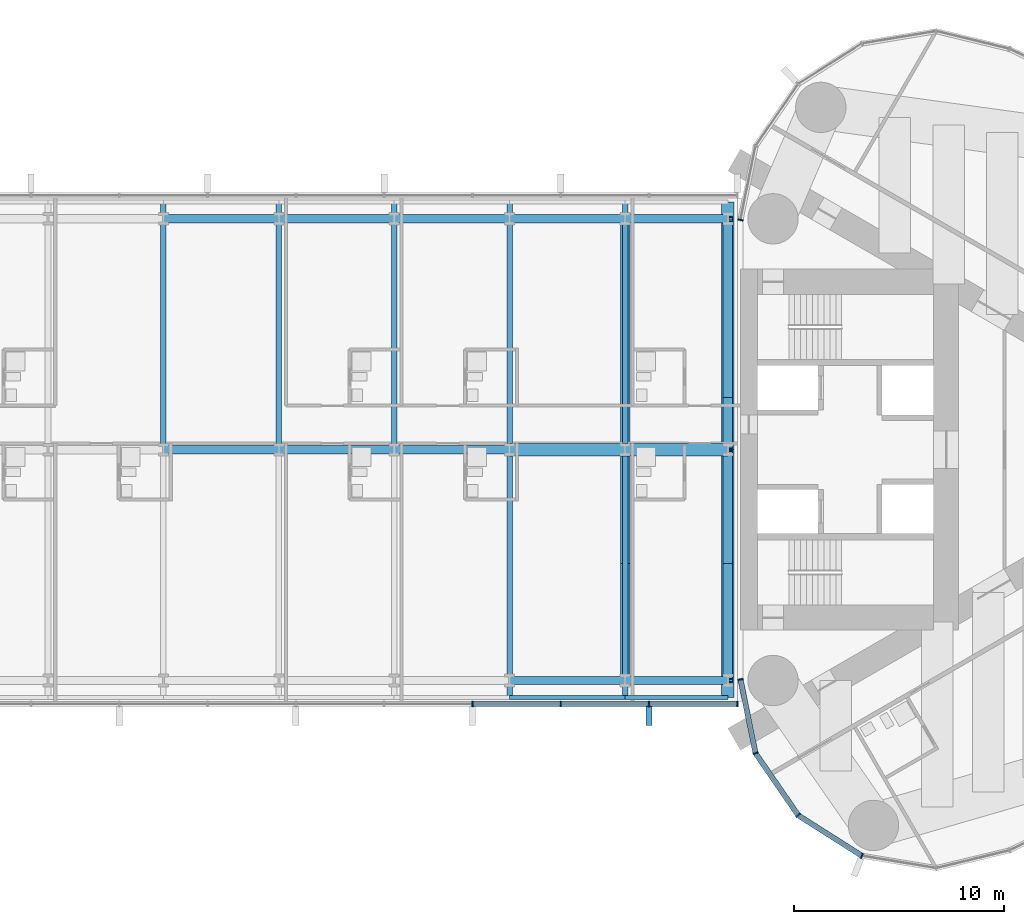
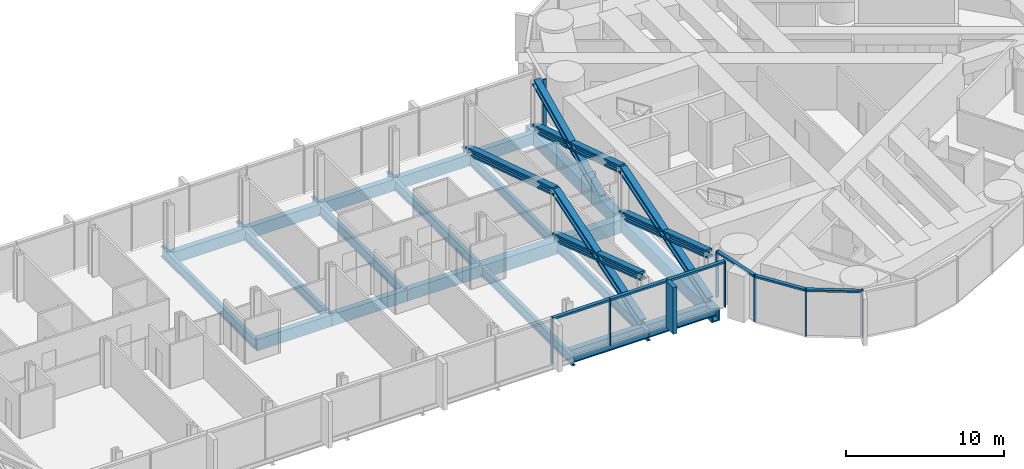
# One storey, part 7 of 22: 23 beams, 23 members, 2 elements without a shape of their own.
"""IFC4 building model written with IfcOpenShell, lengths in metres."""

from ifc_helpers import new_model, si_unit, direction, frame, origin, origin_2d, place, context, subcontext, project, spatial, rectangle, hollow_rectangle, i_section, extrude, material, material_profile, profile_set, type_object, element, aggregate, save


model = new_model("IFC4")

# Units and contexts
model_context = context("Model", 3, precision=1e-05, world=origin(), true_north=direction((0.0, 1.0)))
body_context = subcontext(model_context, "Body", "Model", "MODEL_VIEW")
ifc_project = project(units=[si_unit("LENGTHUNIT", "METRE"), si_unit("AREAUNIT", "SQUARE_METRE"), si_unit("VOLUMEUNIT", "CUBIC_METRE"), si_unit("PLANEANGLEUNIT", "RADIAN"), si_unit("MASSUNIT", "GRAM", prefix="KILO")], contexts=[model_context])

# Site, building, storey
site_placement = place(None, origin())
site = spatial("IfcSite", under=ifc_project, at=site_placement, CompositionType="ELEMENT")
building_placement = place(site_placement, origin())
building = spatial("IfcBuilding", under=site, at=building_placement, Name="Lancet Gate Hotel", CompositionType="ELEMENT")
storey_placement = place(building_placement, frame((0.0, 0.0, 233.300048828125)))
storey = spatial("IfcBuildingStorey", under=building, at=storey_placement, Name="L62", CompositionType="ELEMENT", Elevation=233.300048828125)

# Curtain wall, members
ifc_material_1 = material(Name="Aluminium curtain wall", Category="aluminium")
curtain_wall_type_1 = type_object("IfcCurtainWallType", Name="Tower unitised curtain wall", PredefinedType="USERDEFINED", material=ifc_material_1)
curtain_wall_1_placement = place(storey_placement, origin())
curtain_wall_1 = element("IfcCurtainWall", 1, at=curtain_wall_1_placement, inside=storey, type_object=curtain_wall_type_1, Name="T2 L62 curtain wall 1", ObjectType="UNITISED CURTAIN WALL", PredefinedType="USERDEFINED")
ifc_material_2 = material(Name="Aluminium mullion", Category="aluminium")
ifc_material_profile_1 = material_profile(ifc_material_2, rectangle(XDim=0.06494140625, YDim=0.25, at=origin_2d()), Name="MULLION 65x250")
ifc_profile_set_1 = profile_set([ifc_material_profile_1], Name="Aluminium mullion")
member_type_1 = type_object("IfcMemberType", Name="Aluminium mullion 65x250", PredefinedType="MULLION", material=ifc_profile_set_1)
member_1_placement = place(storey_placement, frame((27.5, -10.947998046875, 0.0), z_axis=(0.0, 0.0, 1.0), x_axis=(0.199533486841, -0.979891008036, 0.0)))
member_1 = element("IfcMember", 2, at=member_1_placement, type_object=member_type_1, Name="T2 L62 curtain wall 1 mullion 1", PredefinedType="MULLION", context=body_context, shape_type="SweptSolid", body=[
    extrude(rectangle(XDim=0.06494140625, YDim=0.25, at=origin_2d()), origin(), (0.0, 0.0, 1.0), 3.599853515625),
])
member_2_placement = place(storey_placement, frame((28.216552734375, -14.467529296875, 0.0), z_axis=(0.0, 0.0, 1.0), x_axis=(0.391042139098, -0.920372775265, 0.0)))
member_2 = element("IfcMember", 3, at=member_2_placement, type_object=member_type_1, Name="T2 L62 curtain wall 1 mullion 2", PredefinedType="MULLION", context=body_context, shape_type="SweptSolid", body=[
    extrude(rectangle(XDim=0.06494140625, YDim=0.25, at=origin_2d()), origin(), (0.0, 0.0, 1.0), 3.599853515625),
])
member_3_placement = place(storey_placement, frame((30.25244140625, -17.42626953125, 0.0), z_axis=(0.0, 0.0, 1.0), x_axis=(0.719809077627, -0.694172090886, 0.0)))
member_3 = element("IfcMember", 4, at=member_3_placement, type_object=member_type_1, Name="T2 L62 curtain wall 1 mullion 3", PredefinedType="MULLION", context=body_context, shape_type="SweptSolid", body=[
    extrude(rectangle(XDim=0.06494140625, YDim=0.25, at=origin_2d()), origin(), (0.0, 0.0, 1.0), 3.599853515625),
])
member_4_placement = place(storey_placement, frame((33.283203125, -19.353515625, 0.0), z_axis=(0.0, 0.0, 1.0), x_axis=(0.93394321776, -0.357421412343, 0.0)))
member_4 = element("IfcMember", 5, at=member_4_placement, type_object=member_type_1, Name="T2 L62 curtain wall 1 mullion 4", PredefinedType="MULLION", context=body_context, shape_type="SweptSolid", body=[
    extrude(rectangle(XDim=0.06494140625, YDim=0.25, at=origin_2d()), origin(), (0.0, 0.0, 1.0), 3.599853515625),
])
member_5_placement = place(storey_placement, frame((27.5, 10.947998046875, 0.0), z_axis=(0.0, 0.0, 1.0), x_axis=(-0.199533486841, -0.979891008036, 0.0)))
member_5 = element("IfcMember", 6, at=member_5_placement, type_object=member_type_1, Name="T2 L62 curtain wall 1 mullion 27", PredefinedType="MULLION", context=body_context, shape_type="SweptSolid", body=[
    extrude(rectangle(XDim=0.06494140625, YDim=0.25, at=origin_2d()), origin(), (0.0, 0.0, 1.0), 3.599853515625),
])

ifc_material_3 = material(Name="Aluminium curtain wall", Category="aluminium")
curtain_wall_type_2 = type_object("IfcCurtainWallType", Name="Bridge block curtain wall", PredefinedType="USERDEFINED", material=ifc_material_3)
curtain_wall_2_placement = place(storey_placement, origin())
curtain_wall_2 = element("IfcCurtainWall", 7, at=curtain_wall_2_placement, inside=storey, type_object=curtain_wall_type_2, Name="Bridge block L62 curtain wall S", ObjectType="UNITISED CURTAIN WALL", PredefinedType="USERDEFINED")
member_6_placement = place(storey_placement, frame((14.726806640625, -12.1201171875, 0.0), z_axis=(0.0, 0.0, 1.0), x_axis=(1.0, 0.0, 0.0)))
member_6 = element("IfcMember", 8, at=member_6_placement, type_object=member_type_1, Name="Bridge block L62 curtain wall S mullion 11", PredefinedType="MULLION", context=body_context, shape_type="SweptSolid", body=[
    extrude(rectangle(XDim=0.06494140625, YDim=0.25, at=origin_2d()), origin(), (0.0, 0.0, 1.0), 3.599853515625),
])
member_7_placement = place(storey_placement, frame((18.9345703125, -12.1201171875, 0.0), z_axis=(0.0, 0.0, 1.0), x_axis=(1.0, 0.0, 0.0)))
member_7 = element("IfcMember", 9, at=member_7_placement, type_object=member_type_1, Name="Bridge block L62 curtain wall S mullion 12", PredefinedType="MULLION", context=body_context, shape_type="SweptSolid", body=[
    extrude(rectangle(XDim=0.06494140625, YDim=0.25, at=origin_2d()), origin(), (0.0, 0.0, 1.0), 3.599853515625),
])
member_8_placement = place(storey_placement, frame((23.142333984375, -12.1201171875, 0.0), z_axis=(0.0, 0.0, 1.0), x_axis=(1.0, 0.0, 0.0)))
member_8 = element("IfcMember", 10, at=member_8_placement, type_object=member_type_1, Name="Bridge block L62 curtain wall S mullion 13", PredefinedType="MULLION", context=body_context, shape_type="SweptSolid", body=[
    extrude(rectangle(XDim=0.06494140625, YDim=0.25, at=origin_2d()), origin(), (0.0, 0.0, 1.0), 3.599853515625),
])
member_9_placement = place(storey_placement, frame((27.35009765625, -12.1201171875, 0.0), z_axis=(0.0, 0.0, 1.0), x_axis=(1.0, 0.0, 0.0)))
member_9 = element("IfcMember", 11, at=member_9_placement, type_object=member_type_1, Name="Bridge block L62 curtain wall S mullion 14", PredefinedType="MULLION", context=body_context, shape_type="SweptSolid", body=[
    extrude(rectangle(XDim=0.06494140625, YDim=0.25, at=origin_2d()), origin(), (0.0, 0.0, 1.0), 3.599853515625),
])

# Member
ifc_material_4 = material(Name="Aluminium transom", Category="aluminium")
ifc_material_profile_2 = material_profile(ifc_material_4, rectangle(XDim=0.25, YDim=0.14990234375, at=origin_2d()), Name="TRANSOM 250x150")
ifc_profile_set_2 = profile_set([ifc_material_profile_2], Name="Aluminium transom")
member_type_2 = type_object("IfcMemberType", Name="Aluminium transom 250x150", PredefinedType="USERDEFINED", material=ifc_profile_set_2)
member_10_placement = place(storey_placement, frame((27.506591796875, -10.97998046875, 3.52490234375), z_axis=(0.19952323725, -0.979893095086, 0.0), x_axis=(0.979893095086, 0.19952323725, 0.0)))
member_10 = element("IfcMember", 12, at=member_10_placement, type_object=member_type_2, Name="T2 L62 curtain wall 1 transom 1", ObjectType="TRANSOM", PredefinedType="USERDEFINED", context=body_context, shape_type="SweptSolid", body=[
    extrude(rectangle(XDim=0.25, YDim=0.14990234375, at=origin_2d()), origin(), (0.0, 0.0, 1.0), 3.5263671875),
])

member_11_placement = place(storey_placement, frame((28.235107421875, -14.494140625, 3.52490234375), z_axis=(0.566813768052, -0.82384595183, 0.0), x_axis=(0.82384595183, 0.566813768052, 0.0)))
member_11 = element("IfcMember", 13, at=member_11_placement, type_object=member_type_2, Name="T2 L62 curtain wall 1 transom 2", ObjectType="TRANSOM", PredefinedType="USERDEFINED", context=body_context, shape_type="SweptSolid", body=[
    extrude(rectangle(XDim=0.25, YDim=0.14990234375, at=origin_2d()), origin(), (0.0, 0.0, 1.0), 3.52685546875),
])

member_12_placement = place(storey_placement, frame((30.27978515625, -17.44384765625, 3.52490234375), z_axis=(0.84385811281, -0.536566384938, 0.0), x_axis=(0.536566384938, 0.84385811281, 0.0)))
member_12 = element("IfcMember", 14, at=member_12_placement, type_object=member_type_2, Name="T2 L62 curtain wall 1 transom 3", ObjectType="TRANSOM", PredefinedType="USERDEFINED", context=body_context, shape_type="SweptSolid", body=[
    extrude(rectangle(XDim=0.25, YDim=0.14990234375, at=origin_2d()), origin(), (0.0, 0.0, 1.0), 3.52685546875),
])

aggregate(curtain_wall_1, [member_1, member_2, member_3, member_4, member_5, member_10, member_11, member_12])

member_13_placement = place(storey_placement, frame((14.759521484375, -12.1201171875, 3.52490234375), z_axis=(1.0, 0.0, 0.0), x_axis=(0.0, 1.0, 0.0)))
member_13 = element("IfcMember", 15, at=member_13_placement, type_object=member_type_2, Name="Bridge block L62 curtain wall S transom 11", ObjectType="TRANSOM", PredefinedType="USERDEFINED", context=body_context, shape_type="SweptSolid", body=[
    extrude(rectangle(XDim=0.25, YDim=0.14990234375, at=origin_2d()), origin(), (0.0, 0.0, 1.0), 4.142578125),
])

member_14_placement = place(storey_placement, frame((18.967041015625, -12.1201171875, 3.52490234375), z_axis=(1.0, 0.0, 0.0), x_axis=(0.0, 1.0, 0.0)))
member_14 = element("IfcMember", 16, at=member_14_placement, type_object=member_type_2, Name="Bridge block L62 curtain wall S transom 12", ObjectType="TRANSOM", PredefinedType="USERDEFINED", context=body_context, shape_type="SweptSolid", body=[
    extrude(rectangle(XDim=0.25, YDim=0.14990234375, at=origin_2d()), origin(), (0.0, 0.0, 1.0), 4.142822265625),
])

member_15_placement = place(storey_placement, frame((23.1748046875, -12.1201171875, 3.52490234375), z_axis=(1.0, 0.0, 0.0), x_axis=(0.0, 1.0, 0.0)))
member_15 = element("IfcMember", 17, at=member_15_placement, type_object=member_type_2, Name="Bridge block L62 curtain wall S transom 13", ObjectType="TRANSOM", PredefinedType="USERDEFINED", context=body_context, shape_type="SweptSolid", body=[
    extrude(rectangle(XDim=0.25, YDim=0.14990234375, at=origin_2d()), origin(), (0.0, 0.0, 1.0), 4.142578125),
])

# Members
ifc_material_5 = material(Name="Steel S460", Category="steel")
ifc_material_profile_3 = material_profile(ifc_material_5, i_section(OverallWidth=0.4541015625, OverallDepth=0.569091796875, WebThickness=0.077880859375, FlangeThickness=0.125, FilletRadius=0.02001953125, at=origin_2d()), Name="HD 400x1086")
ifc_profile_set_3 = profile_set([ifc_material_profile_3], Name="Steel S460")
member_type_3 = type_object("IfcMemberType", Name="Block brace HD 400x1086", PredefinedType="BRACE", material=ifc_profile_set_3)
member_16_placement = place(storey_placement, frame((26.89990234375, -11.0, 0.0), z_axis=(0.0, 0.952925780013, 0.303203657277), x_axis=(-1.0, 0.0, 0.0)))
element("IfcMember", 18, at=member_16_placement, inside=storey, type_object=member_type_3, Name="Block brace EY11 L62", PredefinedType="BRACE", context=body_context, shape_type="SweptSolid", body=[
    extrude(i_section(OverallWidth=0.4541015625, OverallDepth=0.569091796875, WebThickness=0.077880859375, FlangeThickness=0.125, FilletRadius=0.02001953125, at=origin_2d()), origin(), (0.0, 0.0, 1.0), 11.54345703125),
])
member_17_placement = place(storey_placement, frame((26.89990234375, 0.0, 0.0), z_axis=(0.0, -0.950400870301, 0.311027628564), x_axis=(1.0, 0.0, 0.0)))
element("IfcMember", 19, at=member_17_placement, inside=storey, type_object=member_type_3, Name="Block brace EY12 L62", PredefinedType="BRACE", context=body_context, shape_type="SweptSolid", body=[
    extrude(i_section(OverallWidth=0.4541015625, OverallDepth=0.569091796875, WebThickness=0.077880859375, FlangeThickness=0.125, FilletRadius=0.02001953125, at=origin_2d()), origin(), (0.0, 0.0, 1.0), 11.573974609375),
])
for number, where, z_axis, x_axis, name in (
    (20, (26.89990234375, 11.0, 0.0), (0.0, -0.952925780013, 0.303203657277), (1.0, 0.0, 0.0), "Block brace EY22 L62"),
    (21, (22.0, -11.0, 0.0), (0.0, 0.952925780013, 0.303203657277), (-1.0, 0.0, 0.0), "Block brace EI11 L62"),
):
    element("IfcMember", number, at=place(storey_placement, frame(where, z_axis=z_axis, x_axis=x_axis)), inside=storey, type_object=member_type_3, Name=name, PredefinedType="BRACE", context=body_context, shape_type="SweptSolid", body=[
        extrude(i_section(OverallWidth=0.4541015625, OverallDepth=0.569091796875, WebThickness=0.077880859375, FlangeThickness=0.125, FilletRadius=0.02001953125, at=origin_2d()), origin(), (0.0, 0.0, 1.0), 11.54345703125),
    ])
member_18_placement = place(storey_placement, frame((22.0, 0.0, 0.0), z_axis=(0.0, -0.950400870301, 0.311027628564), x_axis=(1.0, 0.0, 0.0)))
element("IfcMember", 22, at=member_18_placement, inside=storey, type_object=member_type_3, Name="Block brace EI12 L62", PredefinedType="BRACE", context=body_context, shape_type="SweptSolid", body=[
    extrude(i_section(OverallWidth=0.4541015625, OverallDepth=0.569091796875, WebThickness=0.077880859375, FlangeThickness=0.125, FilletRadius=0.02001953125, at=origin_2d()), origin(), (0.0, 0.0, 1.0), 11.573974609375),
])
member_19_placement = place(storey_placement, frame((22.0, 11.0, 0.0), z_axis=(0.0, -0.952925780013, 0.303203657277), x_axis=(1.0, 0.0, 0.0)))
element("IfcMember", 23, at=member_19_placement, inside=storey, type_object=member_type_3, Name="Block brace EI22 L62", PredefinedType="BRACE", context=body_context, shape_type="SweptSolid", body=[
    extrude(i_section(OverallWidth=0.4541015625, OverallDepth=0.569091796875, WebThickness=0.077880859375, FlangeThickness=0.125, FilletRadius=0.02001953125, at=origin_2d()), origin(), (0.0, 0.0, 1.0), 11.54345703125),
])
member_20_placement = place(storey_placement, frame((26.89990234375, 2.60009765625, -0.300048828125), z_axis=(0.0, 0.907011125382, 0.421106659212), x_axis=(-1.0, 0.0, 0.0)))
element("IfcMember", 24, at=member_20_placement, inside=storey, type_object=member_type_3, Name="Block brace EY23 L62", PredefinedType="BRACE", context=body_context, shape_type="SweptSolid", body=[
    extrude(i_section(OverallWidth=0.4541015625, OverallDepth=0.569091796875, WebThickness=0.077880859375, FlangeThickness=0.125, FilletRadius=0.02001953125, at=origin_2d()), origin(), (0.0, 0.0, 1.0), 9.260986328125),
])

# Beams
ifc_material_6 = material(Name="Steel S355", Category="steel")
ifc_material_profile_4 = material_profile(ifc_material_6, i_section(OverallWidth=0.19140625, OverallDepth=0.4599609375, WebThickness=0.010009765625, FlangeThickness=0.01611328125, FilletRadius=0.01025390625, at=origin_2d()), Name="UKB 457x191x82")
ifc_profile_set_4 = profile_set([ifc_material_profile_4], Name="Steel S355")
beam_type_1 = type_object("IfcBeamType", Name="Block edge beam UKB 457x191x82", PredefinedType="SPANDREL", material=ifc_profile_set_4)
beam_1_placement = place(storey_placement, frame((16.5, -11.800048828125, -0.429931640625), z_axis=(1.0, 0.0, 0.0), x_axis=(0.0, 1.0, 0.0)))
element("IfcBeam", 25, at=beam_1_placement, inside=storey, type_object=beam_type_1, Name="Block edge beam S 8-9 L62", PredefinedType="SPANDREL", context=body_context, shape_type="SweptSolid", body=[
    extrude(i_section(OverallWidth=0.19140625, OverallDepth=0.4599609375, WebThickness=0.010009765625, FlangeThickness=0.01611328125, FilletRadius=0.01025390625, at=origin_2d()), origin(), (0.0, 0.0, 1.0), 5.5),
])
beam_2_placement = place(storey_placement, frame((22.0, -11.800048828125, -0.429931640625), z_axis=(1.0, 0.0, 0.0), x_axis=(0.0, 1.0, 0.0)))
element("IfcBeam", 26, at=beam_2_placement, inside=storey, type_object=beam_type_1, Name="Block edge beam S 9-10 L62", PredefinedType="SPANDREL", context=body_context, shape_type="SweptSolid", body=[
    extrude(i_section(OverallWidth=0.19140625, OverallDepth=0.4599609375, WebThickness=0.010009765625, FlangeThickness=0.01611328125, FilletRadius=0.01025390625, at=origin_2d()), origin(), (0.0, 0.0, 1.0), 4.89990234375),
])
ifc_material_7 = material(Name="Steel S460QL", Category="steel")
ifc_material_profile_5 = material_profile(ifc_material_7, hollow_rectangle(XDim=0.60009765625, YDim=1.0, WallThickness=0.10009765625, at=origin_2d()), Name="BOX 1000x600x100")
ifc_profile_set_5 = profile_set([ifc_material_profile_5], Name="Steel S460QL")
beam_type_2 = type_object("IfcBeamType", Name="Block end beam BOX 1000x600x100", PredefinedType="BEAM", material=ifc_profile_set_5)
for number, where, z_axis, x_axis, name in (
    (27, (26.89990234375, -11.800048828125, -0.699951171875), (0.0, 1.0, 0.0), (-1.0, 0.0, 0.0), "Block beam x10 S L62"),
    (28, (26.89990234375, 0.0, -0.699951171875), (0.0, 1.0, 0.0), (-1.0, 0.0, 0.0), "Block beam x10 N L62"),
):
    element("IfcBeam", number, at=place(storey_placement, frame(where, z_axis=z_axis, x_axis=x_axis)), inside=storey, type_object=beam_type_2, Name=name, PredefinedType="BEAM", context=body_context, shape_type="SweptSolid", body=[
        extrude(hollow_rectangle(XDim=0.60009765625, YDim=1.0, WallThickness=0.10009765625, at=origin_2d()), origin(), (0.0, 0.0, 1.0), 11.800048828125),
    ])
ifc_material_8 = material(Name="Steel S460QL", Category="steel")
ifc_material_profile_6 = material_profile(ifc_material_8, hollow_rectangle(XDim=0.60009765625, YDim=1.0, WallThickness=0.080078125, at=origin_2d()), Name="BOX 1000x600x80")
ifc_profile_set_6 = profile_set([ifc_material_profile_6], Name="Steel S460QL")
beam_type_3 = type_object("IfcBeamType", Name="Block primary beam BOX 1000x600x80", PredefinedType="BEAM", material=ifc_profile_set_6)
beam_3_placement = place(storey_placement, frame((16.5, 0.0, -0.699951171875), z_axis=(1.0, 0.0, 0.0), x_axis=(0.0, 1.0, 0.0)))
element("IfcBeam", 29, at=beam_3_placement, inside=storey, type_object=beam_type_3, Name="Block primary beam M 9 L62", PredefinedType="BEAM", context=body_context, shape_type="SweptSolid", body=[
    extrude(hollow_rectangle(XDim=0.60009765625, YDim=1.0, WallThickness=0.080078125, at=origin_2d()), origin(), (0.0, 0.0, 1.0), 5.5),
])
beam_4_placement = place(storey_placement, frame((22.0, 0.0, -0.699951171875), z_axis=(1.0, 0.0, 0.0), x_axis=(0.0, 1.0, 0.0)))
element("IfcBeam", 30, at=beam_4_placement, inside=storey, type_object=beam_type_3, Name="Block primary beam M 10 L62", PredefinedType="BEAM", context=body_context, shape_type="SweptSolid", body=[
    extrude(hollow_rectangle(XDim=0.60009765625, YDim=1.0, WallThickness=0.080078125, at=origin_2d()), origin(), (0.0, 0.0, 1.0), 4.89990234375),
])
ifc_material_9 = material(Name="Steel S355", Category="steel")
ifc_material_profile_7 = material_profile(ifc_material_9, hollow_rectangle(XDim=0.39990234375, YDim=0.89990234375, WallThickness=0.0400390625, at=origin_2d()), Name="BOX 900x400x40")
ifc_profile_set_7 = profile_set([ifc_material_profile_7], Name="Steel S355")
beam_type_4 = type_object("IfcBeamType", Name="Block primary beam BOX 900x400x40", PredefinedType="BEAM", material=ifc_profile_set_7)
beam_5_placement = place(storey_placement, frame((16.5, -11.0, -0.650146484375), z_axis=(1.0, 0.0, 0.0), x_axis=(0.0, 1.0, 0.0)))
element("IfcBeam", 31, at=beam_5_placement, inside=storey, type_object=beam_type_4, Name="Block primary beam S 9 L62", PredefinedType="BEAM", context=body_context, shape_type="SweptSolid", body=[
    extrude(hollow_rectangle(XDim=0.39990234375, YDim=0.89990234375, WallThickness=0.0400390625, at=origin_2d()), origin(), (0.0, 0.0, 1.0), 5.5),
])
beam_6_placement = place(storey_placement, frame((22.0, -11.0, -0.650146484375), z_axis=(1.0, 0.0, 0.0), x_axis=(0.0, 1.0, 0.0)))
element("IfcBeam", 32, at=beam_6_placement, inside=storey, type_object=beam_type_4, Name="Block primary beam S 10 L62", PredefinedType="BEAM", context=body_context, shape_type="SweptSolid", body=[
    extrude(hollow_rectangle(XDim=0.39990234375, YDim=0.89990234375, WallThickness=0.0400390625, at=origin_2d()), origin(), (0.0, 0.0, 1.0), 4.89990234375),
])
for number, where, z_axis, x_axis, name in (
    (33, (0.0, 0.0, -0.650146484375), (1.0, 0.0, 0.0), (0.0, 1.0, 0.0), "Block primary beam M 6 L62"),
    (34, (5.5, 0.0, -0.650146484375), (1.0, 0.0, 0.0), (0.0, 1.0, 0.0), "Block primary beam M 7 L62"),
    (35, (11.0, 0.0, -0.650146484375), (1.0, 0.0, 0.0), (0.0, 1.0, 0.0), "Block primary beam M 8 L62"),
    (36, (0.0, 11.0, -0.650146484375), (1.0, 0.0, 0.0), (0.0, 1.0, 0.0), "Block primary beam N 6 L62"),
    (37, (5.5, 11.0, -0.650146484375), (1.0, 0.0, 0.0), (0.0, 1.0, 0.0), "Block primary beam N 7 L62"),
    (38, (11.0, 11.0, -0.650146484375), (1.0, 0.0, 0.0), (0.0, 1.0, 0.0), "Block primary beam N 8 L62"),
    (39, (16.5, 11.0, -0.650146484375), (1.0, 0.0, 0.0), (0.0, 1.0, 0.0), "Block primary beam N 9 L62"),
):
    element("IfcBeam", number, at=place(storey_placement, frame(where, z_axis=z_axis, x_axis=x_axis)), inside=storey, type_object=beam_type_4, Name=name, PredefinedType="BEAM", context=body_context, shape_type="SweptSolid", body=[
        extrude(hollow_rectangle(XDim=0.39990234375, YDim=0.89990234375, WallThickness=0.0400390625, at=origin_2d()), origin(), (0.0, 0.0, 1.0), 5.5),
    ])
beam_7_placement = place(storey_placement, frame((22.0, 11.0, -0.650146484375), z_axis=(1.0, 0.0, 0.0), x_axis=(0.0, 1.0, 0.0)))
element("IfcBeam", 40, at=beam_7_placement, inside=storey, type_object=beam_type_4, Name="Block primary beam N 10 L62", PredefinedType="BEAM", context=body_context, shape_type="SweptSolid", body=[
    extrude(hollow_rectangle(XDim=0.39990234375, YDim=0.89990234375, WallThickness=0.0400390625, at=origin_2d()), origin(), (0.0, 0.0, 1.0), 4.89990234375),
])
ifc_material_10 = material(Name="Steel S355", Category="steel")
ifc_material_profile_8 = material_profile(ifc_material_10, i_section(OverallWidth=0.26806640625, OverallDepth=0.769775390625, WebThickness=0.015625, FlangeThickness=0.025390625, FilletRadius=0.0166015625, at=origin_2d()), Name="UKB 762x267x197")
ifc_profile_set_8 = profile_set([ifc_material_profile_8], Name="Steel S355")
beam_type_5 = type_object("IfcBeamType", Name="Block secondary beam UKB 762x267x197", PredefinedType="JOIST", material=ifc_profile_set_8)
for number, where, z_axis, x_axis, name in (
    (41, (0.0, 0.0, -0.5849609375), (0.0, 1.0, 0.0), (-1.0, 0.0, 0.0), "Block beam x5 N L62"),
    (42, (5.5, 0.0, -0.5849609375), (0.0, 1.0, 0.0), (-1.0, 0.0, 0.0), "Block beam x6 N L62"),
    (43, (11.0, 0.0, -0.5849609375), (0.0, 1.0, 0.0), (-1.0, 0.0, 0.0), "Block beam x7 N L62"),
    (44, (16.5, -11.800048828125, -0.5849609375), (0.0, 1.0, 0.0), (-1.0, 0.0, 0.0), "Block beam x8 S L62"),
    (45, (16.5, 0.0, -0.5849609375), (0.0, 1.0, 0.0), (-1.0, 0.0, 0.0), "Block beam x8 N L62"),
    (46, (22.0, -11.800048828125, -0.5849609375), (0.0, 1.0, 0.0), (-1.0, 0.0, 0.0), "Block beam x9 S L62"),
    (47, (22.0, 0.0, -0.5849609375), (0.0, 1.0, 0.0), (-1.0, 0.0, 0.0), "Block beam x9 N L62"),
):
    element("IfcBeam", number, at=place(storey_placement, frame(where, z_axis=z_axis, x_axis=x_axis)), inside=storey, type_object=beam_type_5, Name=name, PredefinedType="JOIST", context=body_context, shape_type="SweptSolid", body=[
        extrude(i_section(OverallWidth=0.26806640625, OverallDepth=0.769775390625, WebThickness=0.015625, FlangeThickness=0.025390625, FilletRadius=0.0166015625, at=origin_2d()), origin(), (0.0, 0.0, 1.0), 11.800048828125),
    ])

# Member
ifc_material_11 = material(Name="Precast concrete C50/60", Category="concrete")
ifc_material_profile_9 = material_profile(ifc_material_11, rectangle(XDim=0.300048828125, YDim=0.89990234375, at=origin_2d()), Name="FIN 300x900")
ifc_profile_set_9 = profile_set([ifc_material_profile_9], Name="Precast concrete C50/60")
member_type_4 = type_object("IfcMemberType", Name="Exposed concrete fin 300x900", PredefinedType="USERDEFINED", material=ifc_profile_set_9)
member_21_placement = place(storey_placement, frame((23.142333984375, -12.695068359375, 0.0), z_axis=(0.0, 0.0, 1.0), x_axis=(1.0, 0.0, 0.0)))
member_21 = element("IfcMember", 48, at=member_21_placement, type_object=member_type_4, Name="Bridge block L62 curtain wall S fin 13", ObjectType="FIN", PredefinedType="USERDEFINED", context=body_context, shape_type="SweptSolid", body=[
    extrude(rectangle(XDim=0.300048828125, YDim=0.89990234375, at=origin_2d()), origin(), (0.0, 0.0, 1.0), 3.599853515625),
])

aggregate(curtain_wall_2, [member_6, member_7, member_8, member_21, member_9, member_13, member_14, member_15])

save(model, "model.ifc")
